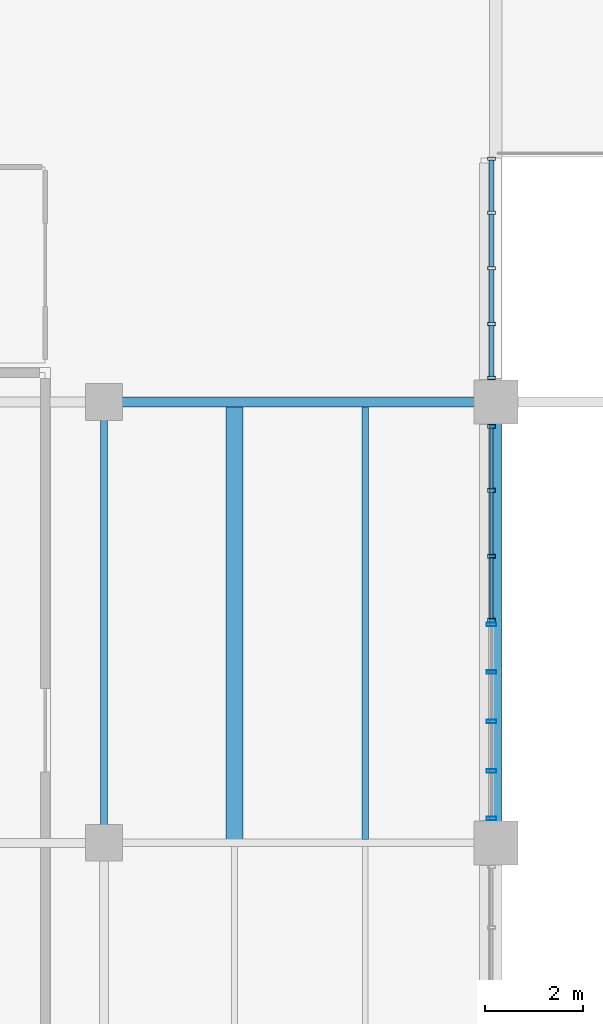
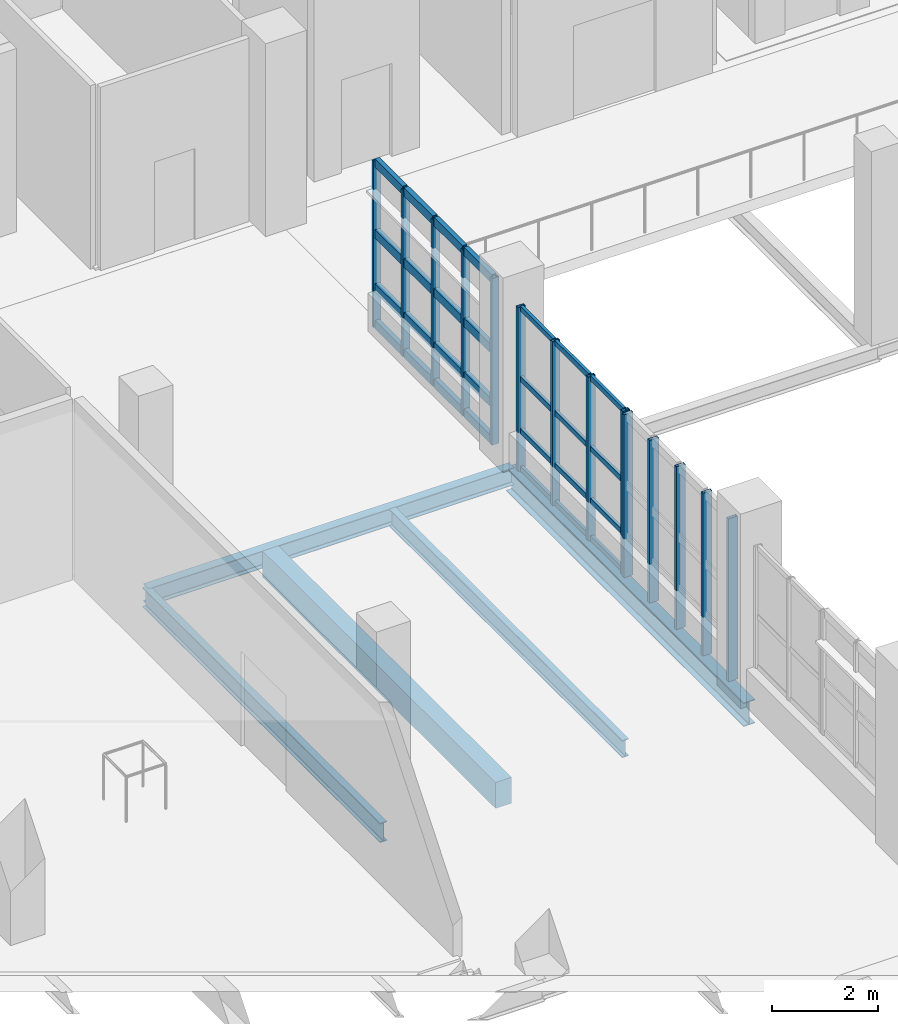
# One storey, part 22 of 85: 42 members, 5 beams, 3 elements without a shape of their own.
"""IFC4 building model written with IfcOpenShell, lengths in metres."""

import ifcopenshell
import ifcopenshell.guid

model = None  # the IFC model being written
_history = None  # IfcOwnerHistory: only IFC2X3 demands one
_inside = {}  # id of a spatial element -> (the spatial element, [elements in it])
_under = {}  # id of a project, library or spatial element -> (it, [spatial elements below it])
_declared = {}  # id of a project -> (the project, [libraries it declares])
_typed = {}  # id of a type object -> (the type object, [elements of that type])
_made_of = {}  # id of a material, layer set ... -> (it, [elements and type objects made of it])


def new_model(schema):
    """Start an empty IFC model of exactly this schema.

    Asked for "IFC4X3", IfcOpenShell would pick the latest addendum, in which some entities
    have other attributes; the version numbers below select the first issue.
    IFC2X3 requires an IfcOwnerHistory on every rooted entity: one is made here for all.
    """
    global model, _history
    if schema == "IFC4X3":
        model = ifcopenshell.file(schema_version=(4, 3, 0, 0))
    else:
        model = ifcopenshell.file(schema=schema)
    _inside.clear()
    _under.clear()
    _declared.clear()
    _typed.clear()
    _made_of.clear()
    _history = None
    if model.schema == "IFC2X3":
        org = make("IfcOrganization", Name="unknown")
        user = make(
            "IfcPersonAndOrganization",
            ThePerson=make("IfcPerson", FamilyName="unknown"),
            TheOrganization=org,
        )
        app = make(
            "IfcApplication",
            ApplicationDeveloper=org,
            Version="unknown",
            ApplicationFullName="unknown",
            ApplicationIdentifier="unknown",
        )
        _history = make(
            "IfcOwnerHistory",
            OwningUser=user,
            OwningApplication=app,
            ChangeAction="ADDED",
            CreationDate=0,
        )
    return model


def make(cls, **values):
    """One entity of the class cls with the attributes given. An attribute that is None is left unset."""
    return model.create_entity(
        cls, **{name: value for name, value in values.items() if value is not None}
    )


def rooted(cls, **values):
    """An entity with a GlobalId (a new one), such as an element, a storey or a relation."""
    return make(cls, GlobalId=ifcopenshell.guid.new(), OwnerHistory=_history, **values)


def si_unit(unit_type, name, prefix=None):
    """IfcSIUnit, for example si_unit("LENGTHUNIT", "METRE", prefix="MILLI")."""
    return make("IfcSIUnit", UnitType=unit_type, Prefix=prefix, Name=name)


def derived_unit(unit_type, elements):
    """IfcDerivedUnit: a product of units, each with its exponent."""
    return make(
        "IfcDerivedUnit",
        Elements=[
            make("IfcDerivedUnitElement", Unit=unit, Exponent=power)
            for unit, power in elements
        ],
        UnitType=unit_type,
    )


def assignment(units):
    """IfcUnitAssignment: the units of a project."""
    return None if units is None else make("IfcUnitAssignment", Units=units)


def point(xyz):
    """IfcCartesianPoint."""
    return None if xyz is None else make("IfcCartesianPoint", Coordinates=xyz)


def direction(xyz):
    """IfcDirection."""
    return None if xyz is None else make("IfcDirection", DirectionRatios=xyz)


def frame(location, z_axis=None, x_axis=None):
    """IfcAxis2Placement3D, a coordinate frame: its origin and axes. An axis left out is left unset."""
    return make(
        "IfcAxis2Placement3D",
        Location=point(location),
        Axis=direction(z_axis),
        RefDirection=direction(x_axis),
    )


def frame_2d(location, x_axis=None):
    """IfcAxis2Placement2D, a coordinate frame in the plane: its origin and x axis."""
    return make(
        "IfcAxis2Placement2D", Location=point(location), RefDirection=direction(x_axis)
    )


def origin():
    """The frame at (0, 0, 0) with its axes left unset."""
    return frame((0.0, 0.0, 0.0))


def origin_2d():
    """The frame at (0, 0) in the plane with its x axis left unset."""
    return frame_2d((0.0, 0.0))


def place(relative_to, where):
    """IfcLocalPlacement: puts the frame where relative to a parent placement (None: the world)."""
    return make(
        "IfcLocalPlacement", PlacementRelTo=relative_to, RelativePlacement=where
    )


def context(
    kind, dimensions, precision=None, world=None, true_north=None, identifier=None
):
    """IfcGeometricRepresentationContext, for example the 3D "Model" context."""
    return make(
        "IfcGeometricRepresentationContext",
        ContextIdentifier=identifier,
        ContextType=kind,
        CoordinateSpaceDimension=dimensions,
        Precision=precision,
        WorldCoordinateSystem=world,
        TrueNorth=true_north,
    )


def subcontext(parent, identifier, kind, view, scale=None):
    """IfcGeometricRepresentationSubContext, for example "Body" below "Model"."""
    return make(
        "IfcGeometricRepresentationSubContext",
        ContextIdentifier=identifier,
        ContextType=kind,
        ParentContext=parent,
        TargetScale=scale,
        TargetView=view,
    )


def project(units=None, contexts=None):
    """IfcProject with its units and contexts."""
    return rooted(
        "IfcProject",
        Name="project",
        RepresentationContexts=contexts,
        UnitsInContext=assignment(units),
    )


def spatial(cls, under=None, at=None, **own):
    """A site, building, storey or space (cls), placed at a placement, below another one or the project."""
    s = rooted(cls, ObjectPlacement=at, **own)
    if under is not None:
        _under.setdefault(under.id(), (under, []))[1].append(s)
    return s


def profile(cls, at=None, kind="AREA", **sizes):
    """A parametric profile (cls). Its sizes go by their IFC names, for example OverallWidth=200.0."""
    return make(cls, ProfileType=kind, Position=at, **sizes)


def rectangle(**sizes):
    """IfcRectangleProfileDef."""
    return profile("IfcRectangleProfileDef", **sizes)


def hollow_rectangle(**sizes):
    """IfcRectangleHollowProfileDef."""
    return profile("IfcRectangleHollowProfileDef", **sizes)


def i_section(**sizes):
    """IfcIShapeProfileDef."""
    return profile("IfcIShapeProfileDef", **sizes)


def extrude(swept, where, along, depth):
    """IfcExtrudedAreaSolid: the profile swept, set in the frame where, extruded along a direction by depth."""
    return make(
        "IfcExtrudedAreaSolid",
        SweptArea=swept,
        Position=where,
        ExtrudedDirection=direction(along),
        Depth=depth,
    )


def shape(context_of_items, identifier, shape_type, items):
    """IfcShapeRepresentation: the items that make up one representation, for example the "Body"."""
    return make(
        "IfcShapeRepresentation",
        ContextOfItems=context_of_items,
        RepresentationIdentifier=identifier,
        RepresentationType=shape_type,
        Items=items,
    )


def material(Name=None, Category=None):
    """IfcMaterial."""
    return make("IfcMaterial", Name=Name, Category=Category)


def layer(
    of_material, thickness, ventilated=None, Name=None, Category=None, Priority=None
):
    """IfcMaterialLayer: one layer of a wall or slab, of a material (None: an air gap)."""
    return make(
        "IfcMaterialLayer",
        Material=of_material,
        LayerThickness=thickness,
        IsVentilated=ventilated,
        Name=Name,
        Category=Category,
        Priority=Priority,
    )


def layer_set(layers, Name=None):
    """IfcMaterialLayerSet."""
    return make("IfcMaterialLayerSet", MaterialLayers=layers, LayerSetName=Name)


def material_profile(
    of_material, cross_section, Name=None, Category=None, Priority=None
):
    """IfcMaterialProfile: a cross section and its material."""
    return make(
        "IfcMaterialProfile",
        Name=Name,
        Material=of_material,
        Profile=cross_section,
        Priority=Priority,
        Category=Category,
    )


def profile_set(profiles, Name=None, composite=None):
    """IfcMaterialProfileSet."""
    return make(
        "IfcMaterialProfileSet",
        Name=Name,
        MaterialProfiles=profiles,
        CompositeProfile=composite,
    )


def made_of(thing, what):
    """Note that an element or type object is made of a material, layer set ...; save() writes the relation."""
    if what is not None:
        _made_of.setdefault(what.id(), (what, []))[1].append(thing)
    return thing


def type_object(cls, material=None, **own):
    """A type object (cls), such as IfcWallType, which elements share."""
    return made_of(rooted(cls, **own), material)


def element(
    cls,
    number,
    at=None,
    inside=None,
    cuts=None,
    type_object=None,
    material=None,
    context=None,
    identifier="Body",
    shape_type=None,
    held_by="IfcProductDefinitionShape",
    body=None,
    shapes=None,
    **own,
):
    """One element of the class cls, such as IfcWall. Its Tag is "e" and its number.

    at: its placement. inside: the storey or other place that contains it. cuts: it is an
    opening in that element (IfcRelVoidsElement). A single representation is given by context,
    identifier, shape_type and body (its items); several are given by shapes. held_by: the class
    of the entity that holds the representations. save() writes the other relations.
    """
    e = rooted(cls, Tag="e%d" % number, ObjectPlacement=at, **own)
    if body is not None:
        shapes = [shape(context, identifier, shape_type, body)]
    if shapes is not None:
        e.Representation = make(held_by, Representations=shapes)
    if inside is not None:
        _inside.setdefault(inside.id(), (inside, []))[1].append(e)
    if cuts is not None:
        rooted(
            "IfcRelVoidsElement", RelatingBuildingElement=cuts, RelatedOpeningElement=e
        )
    if type_object is not None:
        _typed.setdefault(type_object.id(), (type_object, []))[1].append(e)
    return made_of(e, material)


def aggregate(whole, parts):
    """IfcRelAggregates: a whole, such as a stair, and the parts it consists of."""
    return rooted("IfcRelAggregates", RelatingObject=whole, RelatedObjects=parts)


def save(model, path):
    """Write the relations noted so far, then the file.

    IfcRelAggregates (storeys below a building ...), IfcRelContainedInSpatialStructure (elements
    in a storey), IfcRelDefinesByType, IfcRelAssociatesMaterial and IfcRelDeclares: one each for
    every whole, place, type object, material and project.
    """
    for whole, parts in _under.values():
        aggregate(whole, parts)
    for where, things in _inside.values():
        rooted(
            "IfcRelContainedInSpatialStructure",
            RelatedElements=things,
            RelatingStructure=where,
        )
    for kind, things in _typed.values():
        rooted("IfcRelDefinesByType", RelatedObjects=things, RelatingType=kind)
    for what, things in _made_of.values():
        rooted("IfcRelAssociatesMaterial", RelatedObjects=things, RelatingMaterial=what)
    for by, libraries in _declared.values():
        rooted("IfcRelDeclares", RelatingContext=by, RelatedDefinitions=libraries)
    model.write(path)


model = new_model("IFC4")

# Units and contexts
model_context = context("Model", 3, precision=1e-05, world=origin(), true_north=direction((0.0, 1.0)))
body_context = subcontext(model_context, "Body", "Model", "MODEL_VIEW")
ifc_project = project(units=[si_unit("LENGTHUNIT", "METRE"), si_unit("AREAUNIT", "SQUARE_METRE"), si_unit("VOLUMEUNIT", "CUBIC_METRE"), si_unit("PLANEANGLEUNIT", "RADIAN"), si_unit("MASSUNIT", "GRAM", prefix="KILO"), derived_unit("THERMALTRANSMITTANCEUNIT", [(si_unit("POWERUNIT", "WATT"), 1), (si_unit("LENGTHUNIT", "METRE"), -2), (si_unit("THERMODYNAMICTEMPERATUREUNIT", "KELVIN"), -1)])], contexts=[model_context])

# Site, building, storey
site_placement = place(None, origin())
site = spatial("IfcSite", under=ifc_project, at=site_placement, CompositionType="ELEMENT")
building_placement = place(site_placement, origin())
building = spatial("IfcBuilding", under=site, at=building_placement, Name="Nallur Shell Playhouse", CompositionType="ELEMENT")
storey_placement = place(building_placement, frame((0.0, 0.0, 19.800048828125)))
storey = spatial("IfcBuildingStorey", under=building, at=storey_placement, Name="L05", CompositionType="ELEMENT", Elevation=19.800048828125)

# Beams
ifc_material_1 = material(Name="Steel E250", Category="steel")
ifc_material_profile_1 = material_profile(ifc_material_1, i_section(OverallWidth=0.139892578125, OverallDepth=0.39990234375, WebThickness=0.0087890625, FlangeThickness=0.01611328125, FilletRadius=0.013916015625, at=origin_2d()), Name="ISMB 400")
ifc_profile_set_1 = profile_set([ifc_material_profile_1], Name="Steel E250")
beam_type_1 = type_object("IfcBeamType", Name="BM-JST-ISMB400", PredefinedType="JOIST", material=ifc_profile_set_1)
beam_1_placement = place(storey_placement, frame((37.333251953125, 56.072998046875, -0.449951171875), z_axis=(0.0, 1.0, 0.0), x_axis=(-1.0, 0.0, 0.0)))
element("IfcBeam", 1, at=beam_1_placement, inside=storey, type_object=beam_type_1, Name="L05 secondary joist 4-G-1081", PredefinedType="JOIST", context=body_context, shape_type="SweptSolid", body=[
    extrude(i_section(OverallWidth=0.139892578125, OverallDepth=0.39990234375, WebThickness=0.0087890625, FlangeThickness=0.01611328125, FilletRadius=0.013916015625, at=origin_2d()), origin(), (0.0, 0.0, 1.0), 8.8291015625),
])
ifc_material_2 = material(Name="Concrete M30", Category="concrete")
ifc_material_profile_2 = material_profile(ifc_material_2, rectangle(XDim=0.35009765625, YDim=0.60009765625, at=origin_2d()), Name="RC 350x600")
ifc_profile_set_2 = profile_set([ifc_material_profile_2], Name="Concrete M30")
beam_type_2 = type_object("IfcBeamType", Name="BM-RC-350x600", PredefinedType="JOIST", material=ifc_profile_set_2)
beam_2_placement = place(storey_placement, frame((34.666748046875, 56.072998046875, -0.550048828125), z_axis=(0.0, 1.0, 0.0), x_axis=(-1.0, 0.0, 0.0)))
element("IfcBeam", 2, at=beam_2_placement, inside=storey, type_object=beam_type_2, Name="L05 secondary joist 4-G-1080", PredefinedType="JOIST", context=body_context, shape_type="SweptSolid", body=[
    extrude(rectangle(XDim=0.35009765625, YDim=0.60009765625, at=origin_2d()), origin(), (0.0, 0.0, 1.0), 8.8291015625),
])
ifc_material_3 = material(Name="Steel E350", Category="steel")
ifc_material_profile_3 = material_profile(ifc_material_3, i_section(OverallWidth=0.14990234375, OverallDepth=0.449951171875, WebThickness=0.009521484375, FlangeThickness=0.017333984375, FilletRadius=0.014892578125, at=origin_2d()), Name="ISMB 450")
ifc_profile_set_3 = profile_set([ifc_material_profile_3], Name="Steel E350")
beam_type_3 = type_object("IfcBeamType", Name="BM-ST-ISMB450", PredefinedType="BEAM", material=ifc_profile_set_3)
beam_3_placement = place(storey_placement, frame((32.0, 56.0, -0.47509765625), z_axis=(0.0, 1.0, 0.0), x_axis=(-1.0, 0.0, 0.0)))
element("IfcBeam", 3, at=beam_3_placement, inside=storey, type_object=beam_type_3, Name="L05 girder Y-4-1003", PredefinedType="BEAM", context=body_context, shape_type="SweptSolid", body=[
    extrude(i_section(OverallWidth=0.14990234375, OverallDepth=0.449951171875, WebThickness=0.009521484375, FlangeThickness=0.017333984375, FilletRadius=0.014892578125, at=origin_2d()), origin(), (0.0, 0.0, 1.0), 9.0),
])
ifc_material_profile_4 = material_profile(ifc_material_3, i_section(OverallWidth=0.199951171875, OverallDepth=0.39990234375, WebThickness=0.008544921875, FlangeThickness=0.012939453125, FilletRadius=0.012939453125, at=origin_2d()), Name="ISWB 400")
ifc_profile_set_4 = profile_set([ifc_material_profile_4], Name="Steel E350")
beam_type_4 = type_object("IfcBeamType", Name="BM-ST-ISWB400", PredefinedType="BEAM", material=ifc_profile_set_4)
beam_4_placement = place(storey_placement, frame((32.0, 65.0, -0.449951171875), z_axis=(1.0, 0.0, 0.0), x_axis=(0.0, 1.0, 0.0)))
element("IfcBeam", 4, at=beam_4_placement, inside=storey, type_object=beam_type_4, Name="L05 girder X-H-981", PredefinedType="BEAM", context=body_context, shape_type="SweptSolid", body=[
    extrude(i_section(OverallWidth=0.199951171875, OverallDepth=0.39990234375, WebThickness=0.008544921875, FlangeThickness=0.012939453125, FilletRadius=0.012939453125, at=origin_2d()), origin(), (0.0, 0.0, 1.0), 8.0),
])
ifc_material_profile_5 = material_profile(ifc_material_3, i_section(OverallWidth=0.25, OverallDepth=0.550048828125, WebThickness=0.010498046875, FlangeThickness=0.017578125, FilletRadius=0.01611328125, at=origin_2d()), Name="ISWB 550")
ifc_profile_set_5 = profile_set([ifc_material_profile_5], Name="Steel E350")
beam_type_5 = type_object("IfcBeamType", Name="BM-ST-ISWB550", PredefinedType="BEAM", material=ifc_profile_set_5)
beam_5_placement = place(storey_placement, frame((40.0, 56.0, -0.525146484375), z_axis=(0.0, 1.0, 0.0), x_axis=(-1.0, 0.0, 0.0)))
element("IfcBeam", 5, at=beam_5_placement, inside=storey, type_object=beam_type_5, Name="L05 girder Y-5-1010", PredefinedType="BEAM", context=body_context, shape_type="SweptSolid", body=[
    extrude(i_section(OverallWidth=0.25, OverallDepth=0.550048828125, WebThickness=0.010498046875, FlangeThickness=0.017578125, FilletRadius=0.01611328125, at=origin_2d()), origin(), (0.0, 0.0, 1.0), 9.0),
])

# Curtain wall, members
ifc_material_4 = material(Name="Anodised Aluminium Double-Glazed Facade System", Category="aluminium")
ifc_layer_1 = layer(ifc_material_4, 0.1640625)
ifc_layer_set_1 = layer_set([ifc_layer_1], Name="Anodised Aluminium Double-Glazed Facade System")
curtain_wall_type_1 = type_object("IfcCurtainWallType", Name="CW-UNIT-13", PredefinedType="NOTDEFINED", material=ifc_layer_set_1)
curtain_wall_1_placement = place(storey_placement, origin())
curtain_wall_1 = element("IfcCurtainWall", 6, at=curtain_wall_1_placement, inside=storey, type_object=curtain_wall_type_1, Name="Unitised curtain wall CW-173 (L05)", PredefinedType="NOTDEFINED")
ifc_material_5 = material(Name="Aluminium Alloy 6063-T6 Mullion", Category="aluminium")
ifc_material_profile_6 = material_profile(ifc_material_5, hollow_rectangle(XDim=0.080078125, YDim=0.159912109375, WallThickness=0.006103515625, at=origin_2d()), Name="RHS 160x80x6")
ifc_profile_set_6 = profile_set([ifc_material_profile_6], Name="Aluminium Alloy 6063-T6 Mullion")
member_type_1 = type_object("IfcMemberType", Name="MB-CW-MUL150", PredefinedType="MULLION", material=ifc_profile_set_6)
member_1_placement = place(storey_placement, frame((39.909912109375, 64.501953125, -0.01513671875), z_axis=(0.0, 0.0, 1.0), x_axis=(0.0, -1.0, 0.0)))
member_1 = element("IfcMember", 7, at=member_1_placement, type_object=member_type_1, Name="CW-13 mullion 1", PredefinedType="MULLION", context=body_context, shape_type="SweptSolid", body=[
    extrude(hollow_rectangle(XDim=0.080078125, YDim=0.159912109375, WallThickness=0.006103515625, at=origin_2d()), origin(), (0.0, 0.0, 1.0), 3.7841796875),
])
member_2_placement = place(storey_placement, frame((39.909912109375, 63.1962890625, -0.01513671875), z_axis=(0.0, 0.0, 1.0), x_axis=(0.0, -1.0, 0.0)))
member_2 = element("IfcMember", 8, at=member_2_placement, type_object=member_type_1, Name="CW-13 mullion 2", PredefinedType="MULLION", context=body_context, shape_type="SweptSolid", body=[
    extrude(hollow_rectangle(XDim=0.080078125, YDim=0.159912109375, WallThickness=0.006103515625, at=origin_2d()), origin(), (0.0, 0.0, 1.0), 3.7841796875),
])
member_3_placement = place(storey_placement, frame((39.909912109375, 61.8505859375, -0.01513671875), z_axis=(0.0, 0.0, 1.0), x_axis=(0.0, -1.0, 0.0)))
member_3 = element("IfcMember", 9, at=member_3_placement, type_object=member_type_1, Name="CW-13 mullion 3", PredefinedType="MULLION", context=body_context, shape_type="SweptSolid", body=[
    extrude(hollow_rectangle(XDim=0.080078125, YDim=0.159912109375, WallThickness=0.006103515625, at=origin_2d()), origin(), (0.0, 0.0, 1.0), 3.7841796875),
])
member_4_placement = place(storey_placement, frame((39.909912109375, 60.544921875, -0.01513671875), z_axis=(0.0, 0.0, 1.0), x_axis=(0.0, -1.0, 0.0)))
member_4 = element("IfcMember", 10, at=member_4_placement, type_object=member_type_1, Name="CW-13 mullion 4", PredefinedType="MULLION", context=body_context, shape_type="SweptSolid", body=[
    extrude(hollow_rectangle(XDim=0.080078125, YDim=0.159912109375, WallThickness=0.006103515625, at=origin_2d()), origin(), (0.0, 0.0, 1.0), 3.7841796875),
])

ifc_layer_2 = layer(ifc_material_4, 0.159912109375)
ifc_layer_set_2 = layer_set([ifc_layer_2], Name="Anodised Aluminium Double-Glazed Facade System")
curtain_wall_type_2 = type_object("IfcCurtainWallType", Name="CW-UNIT-12", PredefinedType="NOTDEFINED", material=ifc_layer_set_2)
curtain_wall_2_placement = place(storey_placement, origin())
curtain_wall_2 = element("IfcCurtainWall", 11, at=curtain_wall_2_placement, inside=storey, type_object=curtain_wall_type_2, Name="Unitised curtain wall CW-172 (L05)", PredefinedType="NOTDEFINED")
ifc_material_profile_7 = material_profile(ifc_material_5, hollow_rectangle(XDim=0.06494140625, YDim=0.159912109375, WallThickness=0.00390625, at=origin_2d()), Name="ALU 65x160x4")
ifc_profile_set_7 = profile_set([ifc_material_profile_7], Name="Aluminium Alloy 6063-T6 Mullion")
member_type_2 = type_object("IfcMemberType", Name="MB-CW-MUL160", PredefinedType="MULLION", material=ifc_profile_set_7)
member_5_placement = place(storey_placement, frame((39.909912109375, 69.967529296875, -0.01513671875), z_axis=(0.0, 0.0, 1.0), x_axis=(0.0, -1.0, 0.0)))
member_5 = element("IfcMember", 12, at=member_5_placement, type_object=member_type_2, Name="CW-12 mullion 1", PredefinedType="MULLION", context=body_context, shape_type="SweptSolid", body=[
    extrude(hollow_rectangle(XDim=0.06494140625, YDim=0.159912109375, WallThickness=0.00390625, at=origin_2d()), origin(), (0.0, 0.0, 1.0), 3.85400390625),
])
member_6_placement = place(storey_placement, frame((39.909912109375, 68.864501953125, -0.01513671875), z_axis=(0.0, 0.0, 1.0), x_axis=(0.0, -1.0, 0.0)))
member_6 = element("IfcMember", 13, at=member_6_placement, type_object=member_type_2, Name="CW-12 mullion 2", PredefinedType="MULLION", context=body_context, shape_type="SweptSolid", body=[
    extrude(hollow_rectangle(XDim=0.06494140625, YDim=0.159912109375, WallThickness=0.00390625, at=origin_2d()), origin(), (0.0, 0.0, 1.0), 3.85400390625),
])
member_7_placement = place(storey_placement, frame((39.909912109375, 67.72900390625, -0.01513671875), z_axis=(0.0, 0.0, 1.0), x_axis=(0.0, -1.0, 0.0)))
member_7 = element("IfcMember", 14, at=member_7_placement, type_object=member_type_2, Name="CW-12 mullion 3", PredefinedType="MULLION", context=body_context, shape_type="SweptSolid", body=[
    extrude(hollow_rectangle(XDim=0.06494140625, YDim=0.159912109375, WallThickness=0.00390625, at=origin_2d()), origin(), (0.0, 0.0, 1.0), 3.85400390625),
])
member_8_placement = place(storey_placement, frame((39.909912109375, 66.593505859375, -0.01513671875), z_axis=(0.0, 0.0, 1.0), x_axis=(0.0, -1.0, 0.0)))
member_8 = element("IfcMember", 15, at=member_8_placement, type_object=member_type_2, Name="CW-12 mullion 4", PredefinedType="MULLION", context=body_context, shape_type="SweptSolid", body=[
    extrude(hollow_rectangle(XDim=0.06494140625, YDim=0.159912109375, WallThickness=0.00390625, at=origin_2d()), origin(), (0.0, 0.0, 1.0), 3.85400390625),
])
member_9_placement = place(storey_placement, frame((39.909912109375, 65.490478515625, -0.01513671875), z_axis=(0.0, 0.0, 1.0), x_axis=(0.0, -1.0, 0.0)))
member_9 = element("IfcMember", 16, at=member_9_placement, type_object=member_type_2, Name="CW-12 mullion 5", PredefinedType="MULLION", context=body_context, shape_type="SweptSolid", body=[
    extrude(hollow_rectangle(XDim=0.06494140625, YDim=0.159912109375, WallThickness=0.00390625, at=origin_2d()), origin(), (0.0, 0.0, 1.0), 3.85400390625),
])

ifc_layer_3 = layer(ifc_material_4, 0.16796875)
ifc_layer_set_3 = layer_set([ifc_layer_3], Name="Anodised Aluminium Double-Glazed Facade System")
curtain_wall_type_3 = type_object("IfcCurtainWallType", Name="CW-UNIT-14", PredefinedType="NOTDEFINED", material=ifc_layer_set_3)
curtain_wall_3_placement = place(storey_placement, origin())
curtain_wall_3 = element("IfcCurtainWall", 17, at=curtain_wall_3_placement, inside=storey, type_object=curtain_wall_type_3, Name="Unitised curtain wall CW-174 (L05)", PredefinedType="NOTDEFINED")
ifc_material_profile_8 = material_profile(ifc_material_5, hollow_rectangle(XDim=0.074951171875, YDim=0.199951171875, WallThickness=0.0048828125, at=origin_2d()), Name="ALU 75x200x5")
ifc_profile_set_8 = profile_set([ifc_material_profile_8], Name="Aluminium Alloy 6063-T6 Mullion")
member_type_3 = type_object("IfcMemberType", Name="MB-CW-MUL180", PredefinedType="MULLION", material=ifc_profile_set_8)
member_10_placement = place(storey_placement, frame((39.909912109375, 60.45751953125, -0.01513671875), z_axis=(0.0, 0.0, 1.0), x_axis=(0.0, -1.0, 0.0)))
member_10 = element("IfcMember", 18, at=member_10_placement, type_object=member_type_3, Name="CW-14 mullion 1", PredefinedType="MULLION", context=body_context, shape_type="SweptSolid", body=[
    extrude(hollow_rectangle(XDim=0.074951171875, YDim=0.199951171875, WallThickness=0.0048828125, at=origin_2d()), origin(), (0.0, 0.0, 1.0), 3.76416015625),
])
member_11_placement = place(storey_placement, frame((39.909912109375, 59.48583984375, -0.01513671875), z_axis=(0.0, 0.0, 1.0), x_axis=(0.0, -1.0, 0.0)))
member_11 = element("IfcMember", 19, at=member_11_placement, type_object=member_type_3, Name="CW-14 mullion 2", PredefinedType="MULLION", context=body_context, shape_type="SweptSolid", body=[
    extrude(hollow_rectangle(XDim=0.074951171875, YDim=0.199951171875, WallThickness=0.0048828125, at=origin_2d()), origin(), (0.0, 0.0, 1.0), 3.76416015625),
])
member_12_placement = place(storey_placement, frame((39.909912109375, 58.4765625, -0.01513671875), z_axis=(0.0, 0.0, 1.0), x_axis=(0.0, -1.0, 0.0)))
member_12 = element("IfcMember", 20, at=member_12_placement, type_object=member_type_3, Name="CW-14 mullion 3", PredefinedType="MULLION", context=body_context, shape_type="SweptSolid", body=[
    extrude(hollow_rectangle(XDim=0.074951171875, YDim=0.199951171875, WallThickness=0.0048828125, at=origin_2d()), origin(), (0.0, 0.0, 1.0), 3.76416015625),
])
member_13_placement = place(storey_placement, frame((39.909912109375, 57.46728515625, -0.01513671875), z_axis=(0.0, 0.0, 1.0), x_axis=(0.0, -1.0, 0.0)))
member_13 = element("IfcMember", 21, at=member_13_placement, type_object=member_type_3, Name="CW-14 mullion 4", PredefinedType="MULLION", context=body_context, shape_type="SweptSolid", body=[
    extrude(hollow_rectangle(XDim=0.074951171875, YDim=0.199951171875, WallThickness=0.0048828125, at=origin_2d()), origin(), (0.0, 0.0, 1.0), 3.76416015625),
])
member_14_placement = place(storey_placement, frame((39.909912109375, 56.49560546875, -0.01513671875), z_axis=(0.0, 0.0, 1.0), x_axis=(0.0, -1.0, 0.0)))
member_14 = element("IfcMember", 22, at=member_14_placement, type_object=member_type_3, Name="CW-14 mullion 5", PredefinedType="MULLION", context=body_context, shape_type="SweptSolid", body=[
    extrude(hollow_rectangle(XDim=0.074951171875, YDim=0.199951171875, WallThickness=0.0048828125, at=origin_2d()), origin(), (0.0, 0.0, 1.0), 3.76416015625),
])
aggregate(curtain_wall_3, [member_10, member_11, member_12, member_13, member_14])

# Member
ifc_material_6 = material(Name="Aluminium Alloy 6063-T6 Transom", Category="aluminium")
ifc_material_profile_9 = material_profile(ifc_material_6, hollow_rectangle(XDim=0.06494140625, YDim=0.1201171875, WallThickness=0.00390625, at=origin_2d()), Name="ALU 65x120x4")
ifc_profile_set_9 = profile_set([ifc_material_profile_9], Name="Aluminium Alloy 6063-T6 Transom")
member_type_4 = type_object("IfcMemberType", Name="MB-CW-TRN120", PredefinedType="USERDEFINED", material=ifc_profile_set_9)
member_15_placement = place(storey_placement, frame((39.909912109375, 64.469970703125, 0.032470703125), z_axis=(0.0, -1.0, 0.0), x_axis=(1.0, 0.0, 0.0)))
member_15 = element("IfcMember", 23, at=member_15_placement, type_object=member_type_4, Name="CW-13 transom 1.1", ObjectType="TRANSOM", PredefinedType="USERDEFINED", context=body_context, shape_type="SweptSolid", body=[
    extrude(hollow_rectangle(XDim=0.06494140625, YDim=0.1201171875, WallThickness=0.00390625, at=origin_2d()), origin(), (0.0, 0.0, 1.0), 1.24169921875),
])

member_16_placement = place(storey_placement, frame((39.909912109375, 64.469970703125, 0.89990234375), z_axis=(0.0, -1.0, 0.0), x_axis=(1.0, 0.0, 0.0)))
member_16 = element("IfcMember", 24, at=member_16_placement, type_object=member_type_4, Name="CW-13 transom 1.2", ObjectType="TRANSOM", PredefinedType="USERDEFINED", context=body_context, shape_type="SweptSolid", body=[
    extrude(hollow_rectangle(XDim=0.06494140625, YDim=0.1201171875, WallThickness=0.00390625, at=origin_2d()), origin(), (0.0, 0.0, 1.0), 1.24169921875),
])

member_17_placement = place(storey_placement, frame((39.909912109375, 64.469970703125, 2.10791015625), z_axis=(0.0, -1.0, 0.0), x_axis=(1.0, 0.0, 0.0)))
member_17 = element("IfcMember", 25, at=member_17_placement, type_object=member_type_4, Name="CW-13 transom 1.3", ObjectType="TRANSOM", PredefinedType="USERDEFINED", context=body_context, shape_type="SweptSolid", body=[
    extrude(hollow_rectangle(XDim=0.06494140625, YDim=0.1201171875, WallThickness=0.00390625, at=origin_2d()), origin(), (0.0, 0.0, 1.0), 1.24169921875),
])

member_18_placement = place(storey_placement, frame((39.909912109375, 64.469970703125, 3.732421875), z_axis=(0.0, -1.0, 0.0), x_axis=(1.0, 0.0, 0.0)))
member_18 = element("IfcMember", 26, at=member_18_placement, type_object=member_type_4, Name="CW-13 transom 1.4", ObjectType="TRANSOM", PredefinedType="USERDEFINED", context=body_context, shape_type="SweptSolid", body=[
    extrude(hollow_rectangle(XDim=0.06494140625, YDim=0.1201171875, WallThickness=0.00390625, at=origin_2d()), origin(), (0.0, 0.0, 1.0), 1.24169921875),
])

member_19_placement = place(storey_placement, frame((39.909912109375, 63.164306640625, 0.032470703125), z_axis=(0.0, -1.0, 0.0), x_axis=(1.0, 0.0, 0.0)))
member_19 = element("IfcMember", 27, at=member_19_placement, type_object=member_type_4, Name="CW-13 transom 2.1", ObjectType="TRANSOM", PredefinedType="USERDEFINED", context=body_context, shape_type="SweptSolid", body=[
    extrude(hollow_rectangle(XDim=0.06494140625, YDim=0.1201171875, WallThickness=0.00390625, at=origin_2d()), origin(), (0.0, 0.0, 1.0), 1.28173828125),
])

member_20_placement = place(storey_placement, frame((39.909912109375, 63.164306640625, 0.89990234375), z_axis=(0.0, -1.0, 0.0), x_axis=(1.0, 0.0, 0.0)))
member_20 = element("IfcMember", 28, at=member_20_placement, type_object=member_type_4, Name="CW-13 transom 2.2", ObjectType="TRANSOM", PredefinedType="USERDEFINED", context=body_context, shape_type="SweptSolid", body=[
    extrude(hollow_rectangle(XDim=0.06494140625, YDim=0.1201171875, WallThickness=0.00390625, at=origin_2d()), origin(), (0.0, 0.0, 1.0), 1.28173828125),
])

member_21_placement = place(storey_placement, frame((39.909912109375, 63.164306640625, 2.10791015625), z_axis=(0.0, -1.0, 0.0), x_axis=(1.0, 0.0, 0.0)))
member_21 = element("IfcMember", 29, at=member_21_placement, type_object=member_type_4, Name="CW-13 transom 2.3", ObjectType="TRANSOM", PredefinedType="USERDEFINED", context=body_context, shape_type="SweptSolid", body=[
    extrude(hollow_rectangle(XDim=0.06494140625, YDim=0.1201171875, WallThickness=0.00390625, at=origin_2d()), origin(), (0.0, 0.0, 1.0), 1.28173828125),
])

member_22_placement = place(storey_placement, frame((39.909912109375, 63.164306640625, 3.732421875), z_axis=(0.0, -1.0, 0.0), x_axis=(1.0, 0.0, 0.0)))
member_22 = element("IfcMember", 30, at=member_22_placement, type_object=member_type_4, Name="CW-13 transom 2.4", ObjectType="TRANSOM", PredefinedType="USERDEFINED", context=body_context, shape_type="SweptSolid", body=[
    extrude(hollow_rectangle(XDim=0.06494140625, YDim=0.1201171875, WallThickness=0.00390625, at=origin_2d()), origin(), (0.0, 0.0, 1.0), 1.28173828125),
])

member_23_placement = place(storey_placement, frame((39.909912109375, 61.818603515625, 0.032470703125), z_axis=(0.0, -1.0, 0.0), x_axis=(1.0, 0.0, 0.0)))
member_23 = element("IfcMember", 31, at=member_23_placement, type_object=member_type_4, Name="CW-13 transom 3.1", ObjectType="TRANSOM", PredefinedType="USERDEFINED", context=body_context, shape_type="SweptSolid", body=[
    extrude(hollow_rectangle(XDim=0.06494140625, YDim=0.1201171875, WallThickness=0.00390625, at=origin_2d()), origin(), (0.0, 0.0, 1.0), 1.24169921875),
])

member_24_placement = place(storey_placement, frame((39.909912109375, 61.818603515625, 0.89990234375), z_axis=(0.0, -1.0, 0.0), x_axis=(1.0, 0.0, 0.0)))
member_24 = element("IfcMember", 32, at=member_24_placement, type_object=member_type_4, Name="CW-13 transom 3.2", ObjectType="TRANSOM", PredefinedType="USERDEFINED", context=body_context, shape_type="SweptSolid", body=[
    extrude(hollow_rectangle(XDim=0.06494140625, YDim=0.1201171875, WallThickness=0.00390625, at=origin_2d()), origin(), (0.0, 0.0, 1.0), 1.24169921875),
])

member_25_placement = place(storey_placement, frame((39.909912109375, 61.818603515625, 2.10791015625), z_axis=(0.0, -1.0, 0.0), x_axis=(1.0, 0.0, 0.0)))
member_25 = element("IfcMember", 33, at=member_25_placement, type_object=member_type_4, Name="CW-13 transom 3.3", ObjectType="TRANSOM", PredefinedType="USERDEFINED", context=body_context, shape_type="SweptSolid", body=[
    extrude(hollow_rectangle(XDim=0.06494140625, YDim=0.1201171875, WallThickness=0.00390625, at=origin_2d()), origin(), (0.0, 0.0, 1.0), 1.24169921875),
])

member_26_placement = place(storey_placement, frame((39.909912109375, 61.818603515625, 3.732421875), z_axis=(0.0, -1.0, 0.0), x_axis=(1.0, 0.0, 0.0)))
member_26 = element("IfcMember", 34, at=member_26_placement, type_object=member_type_4, Name="CW-13 transom 3.4", ObjectType="TRANSOM", PredefinedType="USERDEFINED", context=body_context, shape_type="SweptSolid", body=[
    extrude(hollow_rectangle(XDim=0.06494140625, YDim=0.1201171875, WallThickness=0.00390625, at=origin_2d()), origin(), (0.0, 0.0, 1.0), 1.24169921875),
])

aggregate(curtain_wall_1, [member_1, member_2, member_3, member_4, member_15, member_16, member_17, member_18, member_19, member_20, member_21, member_22, member_23, member_24, member_25, member_26])

ifc_material_profile_10 = material_profile(ifc_material_6, hollow_rectangle(XDim=0.10009765625, YDim=0.199951171875, WallThickness=0.008056640625, at=origin_2d()), Name="RHS 200x100x8")
ifc_profile_set_10 = profile_set([ifc_material_profile_10], Name="Aluminium Alloy 6063-T6 Transom")
member_type_5 = type_object("IfcMemberType", Name="MB-CW-TRN140", PredefinedType="USERDEFINED", material=ifc_profile_set_10)
member_27_placement = place(storey_placement, frame((39.909912109375, 69.943115234375, 0.050048828125), z_axis=(0.0, -1.0, 0.0), x_axis=(1.0, 0.0, 0.0)))
member_27 = element("IfcMember", 35, at=member_27_placement, type_object=member_type_5, Name="CW-12 transom 1.1", ObjectType="TRANSOM", PredefinedType="USERDEFINED", context=body_context, shape_type="SweptSolid", body=[
    extrude(hollow_rectangle(XDim=0.10009765625, YDim=0.199951171875, WallThickness=0.008056640625, at=origin_2d()), origin(), (0.0, 0.0, 1.0), 1.05419921875),
])

member_28_placement = place(storey_placement, frame((39.909912109375, 69.943115234375, 0.89990234375), z_axis=(0.0, -1.0, 0.0), x_axis=(1.0, 0.0, 0.0)))
member_28 = element("IfcMember", 36, at=member_28_placement, type_object=member_type_5, Name="CW-12 transom 1.2", ObjectType="TRANSOM", PredefinedType="USERDEFINED", context=body_context, shape_type="SweptSolid", body=[
    extrude(hollow_rectangle(XDim=0.10009765625, YDim=0.199951171875, WallThickness=0.008056640625, at=origin_2d()), origin(), (0.0, 0.0, 1.0), 1.05419921875),
])

member_29_placement = place(storey_placement, frame((39.909912109375, 69.943115234375, 2.14794921875), z_axis=(0.0, -1.0, 0.0), x_axis=(1.0, 0.0, 0.0)))
member_29 = element("IfcMember", 37, at=member_29_placement, type_object=member_type_5, Name="CW-12 transom 1.3", ObjectType="TRANSOM", PredefinedType="USERDEFINED", context=body_context, shape_type="SweptSolid", body=[
    extrude(hollow_rectangle(XDim=0.10009765625, YDim=0.199951171875, WallThickness=0.008056640625, at=origin_2d()), origin(), (0.0, 0.0, 1.0), 1.05419921875),
])

member_30_placement = place(storey_placement, frame((39.909912109375, 69.943115234375, 3.784912109375), z_axis=(0.0, -1.0, 0.0), x_axis=(1.0, 0.0, 0.0)))
member_30 = element("IfcMember", 38, at=member_30_placement, type_object=member_type_5, Name="CW-12 transom 1.4", ObjectType="TRANSOM", PredefinedType="USERDEFINED", context=body_context, shape_type="SweptSolid", body=[
    extrude(hollow_rectangle(XDim=0.10009765625, YDim=0.199951171875, WallThickness=0.008056640625, at=origin_2d()), origin(), (0.0, 0.0, 1.0), 1.05419921875),
])

member_31_placement = place(storey_placement, frame((39.909912109375, 68.840087890625, 0.050048828125), z_axis=(0.0, -1.0, 0.0), x_axis=(1.0, 0.0, 0.0)))
member_31 = element("IfcMember", 39, at=member_31_placement, type_object=member_type_5, Name="CW-12 transom 2.1", ObjectType="TRANSOM", PredefinedType="USERDEFINED", context=body_context, shape_type="SweptSolid", body=[
    extrude(hollow_rectangle(XDim=0.10009765625, YDim=0.199951171875, WallThickness=0.008056640625, at=origin_2d()), origin(), (0.0, 0.0, 1.0), 1.086669921875),
])

member_32_placement = place(storey_placement, frame((39.909912109375, 68.840087890625, 0.89990234375), z_axis=(0.0, -1.0, 0.0), x_axis=(1.0, 0.0, 0.0)))
member_32 = element("IfcMember", 40, at=member_32_placement, type_object=member_type_5, Name="CW-12 transom 2.2", ObjectType="TRANSOM", PredefinedType="USERDEFINED", context=body_context, shape_type="SweptSolid", body=[
    extrude(hollow_rectangle(XDim=0.10009765625, YDim=0.199951171875, WallThickness=0.008056640625, at=origin_2d()), origin(), (0.0, 0.0, 1.0), 1.086669921875),
])

member_33_placement = place(storey_placement, frame((39.909912109375, 68.840087890625, 2.14794921875), z_axis=(0.0, -1.0, 0.0), x_axis=(1.0, 0.0, 0.0)))
member_33 = element("IfcMember", 41, at=member_33_placement, type_object=member_type_5, Name="CW-12 transom 2.3", ObjectType="TRANSOM", PredefinedType="USERDEFINED", context=body_context, shape_type="SweptSolid", body=[
    extrude(hollow_rectangle(XDim=0.10009765625, YDim=0.199951171875, WallThickness=0.008056640625, at=origin_2d()), origin(), (0.0, 0.0, 1.0), 1.086669921875),
])

member_34_placement = place(storey_placement, frame((39.909912109375, 68.840087890625, 3.784912109375), z_axis=(0.0, -1.0, 0.0), x_axis=(1.0, 0.0, 0.0)))
member_34 = element("IfcMember", 42, at=member_34_placement, type_object=member_type_5, Name="CW-12 transom 2.4", ObjectType="TRANSOM", PredefinedType="USERDEFINED", context=body_context, shape_type="SweptSolid", body=[
    extrude(hollow_rectangle(XDim=0.10009765625, YDim=0.199951171875, WallThickness=0.008056640625, at=origin_2d()), origin(), (0.0, 0.0, 1.0), 1.086669921875),
])

member_35_placement = place(storey_placement, frame((39.909912109375, 67.70458984375, 0.050048828125), z_axis=(0.0, -1.0, 0.0), x_axis=(1.0, 0.0, 0.0)))
member_35 = element("IfcMember", 43, at=member_35_placement, type_object=member_type_5, Name="CW-12 transom 3.1", ObjectType="TRANSOM", PredefinedType="USERDEFINED", context=body_context, shape_type="SweptSolid", body=[
    extrude(hollow_rectangle(XDim=0.10009765625, YDim=0.199951171875, WallThickness=0.008056640625, at=origin_2d()), origin(), (0.0, 0.0, 1.0), 1.086669921875),
])

member_36_placement = place(storey_placement, frame((39.909912109375, 67.70458984375, 0.89990234375), z_axis=(0.0, -1.0, 0.0), x_axis=(1.0, 0.0, 0.0)))
member_36 = element("IfcMember", 44, at=member_36_placement, type_object=member_type_5, Name="CW-12 transom 3.2", ObjectType="TRANSOM", PredefinedType="USERDEFINED", context=body_context, shape_type="SweptSolid", body=[
    extrude(hollow_rectangle(XDim=0.10009765625, YDim=0.199951171875, WallThickness=0.008056640625, at=origin_2d()), origin(), (0.0, 0.0, 1.0), 1.086669921875),
])

member_37_placement = place(storey_placement, frame((39.909912109375, 67.70458984375, 2.14794921875), z_axis=(0.0, -1.0, 0.0), x_axis=(1.0, 0.0, 0.0)))
member_37 = element("IfcMember", 45, at=member_37_placement, type_object=member_type_5, Name="CW-12 transom 3.3", ObjectType="TRANSOM", PredefinedType="USERDEFINED", context=body_context, shape_type="SweptSolid", body=[
    extrude(hollow_rectangle(XDim=0.10009765625, YDim=0.199951171875, WallThickness=0.008056640625, at=origin_2d()), origin(), (0.0, 0.0, 1.0), 1.086669921875),
])

member_38_placement = place(storey_placement, frame((39.909912109375, 67.70458984375, 3.784912109375), z_axis=(0.0, -1.0, 0.0), x_axis=(1.0, 0.0, 0.0)))
member_38 = element("IfcMember", 46, at=member_38_placement, type_object=member_type_5, Name="CW-12 transom 3.4", ObjectType="TRANSOM", PredefinedType="USERDEFINED", context=body_context, shape_type="SweptSolid", body=[
    extrude(hollow_rectangle(XDim=0.10009765625, YDim=0.199951171875, WallThickness=0.008056640625, at=origin_2d()), origin(), (0.0, 0.0, 1.0), 1.086669921875),
])

member_39_placement = place(storey_placement, frame((39.909912109375, 66.569091796875, 0.050048828125), z_axis=(0.0, -1.0, 0.0), x_axis=(1.0, 0.0, 0.0)))
member_39 = element("IfcMember", 47, at=member_39_placement, type_object=member_type_5, Name="CW-12 transom 4.1", ObjectType="TRANSOM", PredefinedType="USERDEFINED", context=body_context, shape_type="SweptSolid", body=[
    extrude(hollow_rectangle(XDim=0.10009765625, YDim=0.199951171875, WallThickness=0.008056640625, at=origin_2d()), origin(), (0.0, 0.0, 1.0), 1.05419921875),
])

member_40_placement = place(storey_placement, frame((39.909912109375, 66.569091796875, 0.89990234375), z_axis=(0.0, -1.0, 0.0), x_axis=(1.0, 0.0, 0.0)))
member_40 = element("IfcMember", 48, at=member_40_placement, type_object=member_type_5, Name="CW-12 transom 4.2", ObjectType="TRANSOM", PredefinedType="USERDEFINED", context=body_context, shape_type="SweptSolid", body=[
    extrude(hollow_rectangle(XDim=0.10009765625, YDim=0.199951171875, WallThickness=0.008056640625, at=origin_2d()), origin(), (0.0, 0.0, 1.0), 1.05419921875),
])

member_41_placement = place(storey_placement, frame((39.909912109375, 66.569091796875, 2.14794921875), z_axis=(0.0, -1.0, 0.0), x_axis=(1.0, 0.0, 0.0)))
member_41 = element("IfcMember", 49, at=member_41_placement, type_object=member_type_5, Name="CW-12 transom 4.3", ObjectType="TRANSOM", PredefinedType="USERDEFINED", context=body_context, shape_type="SweptSolid", body=[
    extrude(hollow_rectangle(XDim=0.10009765625, YDim=0.199951171875, WallThickness=0.008056640625, at=origin_2d()), origin(), (0.0, 0.0, 1.0), 1.05419921875),
])

member_42_placement = place(storey_placement, frame((39.909912109375, 66.569091796875, 3.784912109375), z_axis=(0.0, -1.0, 0.0), x_axis=(1.0, 0.0, 0.0)))
member_42 = element("IfcMember", 50, at=member_42_placement, type_object=member_type_5, Name="CW-12 transom 4.4", ObjectType="TRANSOM", PredefinedType="USERDEFINED", context=body_context, shape_type="SweptSolid", body=[
    extrude(hollow_rectangle(XDim=0.10009765625, YDim=0.199951171875, WallThickness=0.008056640625, at=origin_2d()), origin(), (0.0, 0.0, 1.0), 1.05419921875),
])

aggregate(curtain_wall_2, [member_5, member_6, member_7, member_8, member_9, member_27, member_28, member_29, member_30, member_31, member_32, member_33, member_34, member_35, member_36, member_37, member_38, member_39, member_40, member_41, member_42])

save(model, "model.ifc")
